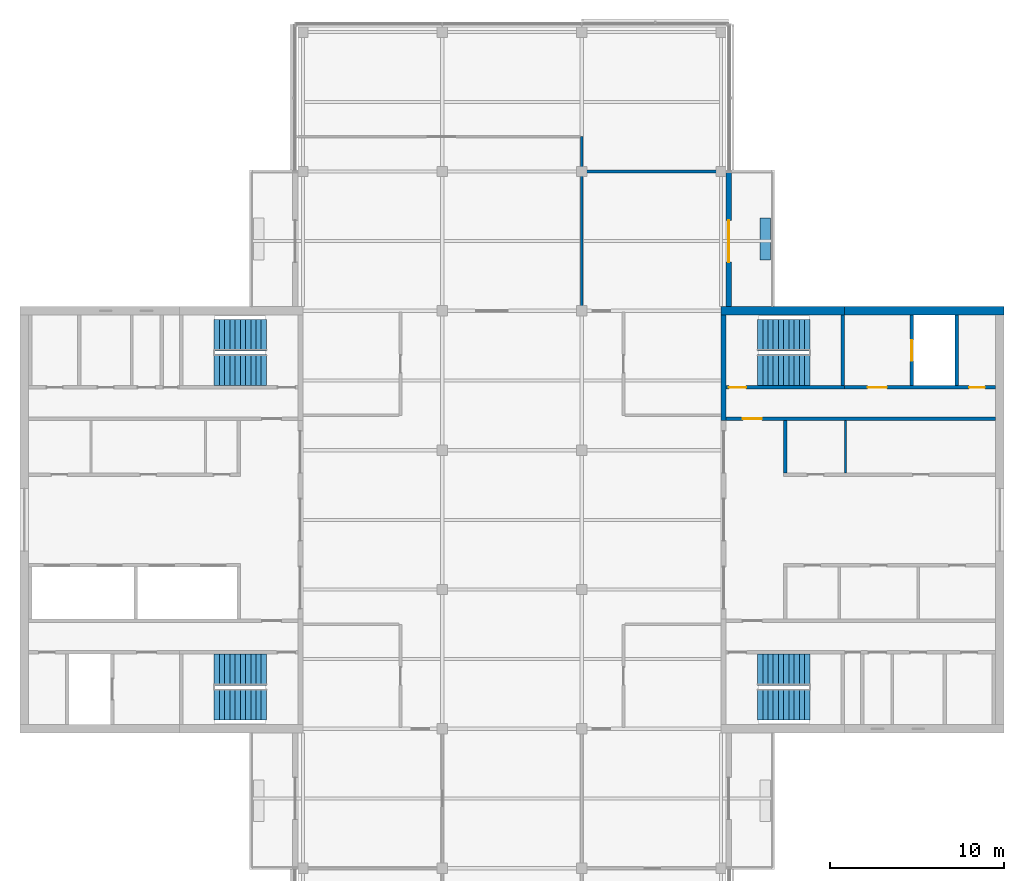
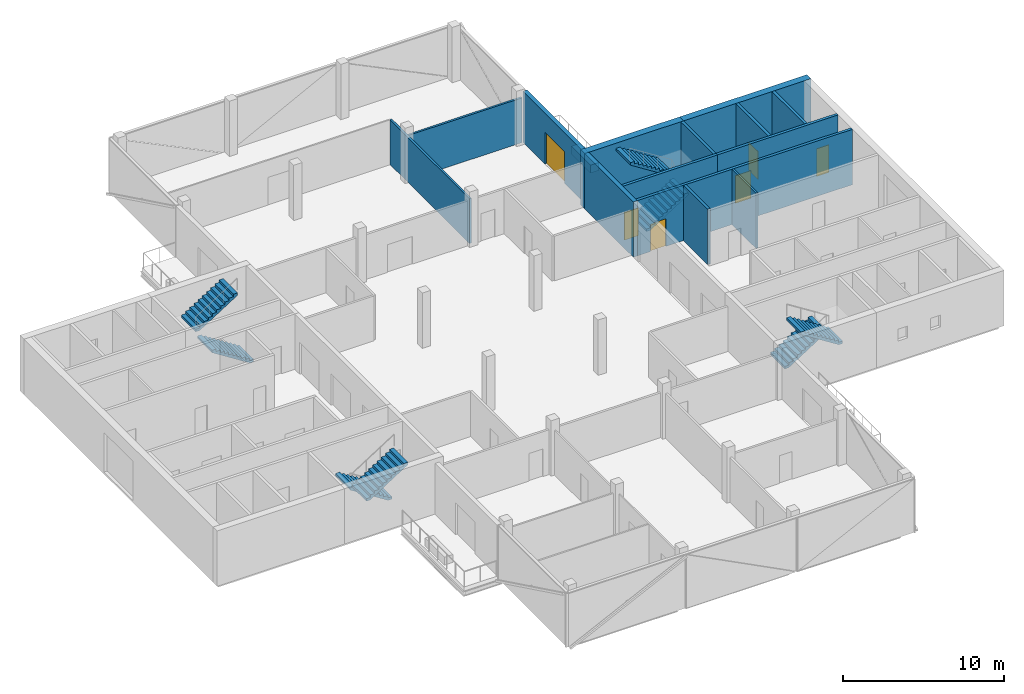
# One storey, part 8 of 11: 15 walls, 8 stair flights, 6 doors, 6 openings, 4 elements without a shape of their own.
"""IFC4 building model written with IfcOpenShell, lengths in metres."""

from ifc_helpers import new_model, si_unit, direction, frame, frame_2d, origin, place, context, subcontext, project, spatial, polyline, rectangle, outline, extrude, material, layer, layer_set, constituent, constituent_set, type_object, element, fill, aggregate, save


model = new_model("IFC4")

# Units and contexts
model_context = context("Model", 3, precision=1e-05, world=origin(), true_north=direction((0.0, 1.0)))
body_context = subcontext(model_context, "Body", "Model", "MODEL_VIEW")
ifc_project = project(units=[si_unit("LENGTHUNIT", "METRE"), si_unit("AREAUNIT", "SQUARE_METRE"), si_unit("VOLUMEUNIT", "CUBIC_METRE"), si_unit("PLANEANGLEUNIT", "RADIAN"), si_unit("MASSUNIT", "GRAM", prefix="KILO")], contexts=[model_context])

# Site, building, storey
site_placement = place(None, origin())
site = spatial("IfcSite", under=ifc_project, at=site_placement, CompositionType="ELEMENT")
building_placement = place(site_placement, origin())
building = spatial("IfcBuilding", under=site, at=building_placement, Name="Crosswind Convention Tower", CompositionType="ELEMENT")
storey_placement = place(building_placement, frame((0.0, 0.0, 344.89990234375)))
storey = spatial("IfcBuildingStorey", under=building, at=storey_placement, Name="L75", CompositionType="ELEMENT", Elevation=344.89990234375)

# Walls
ifc_material_1 = material(Name="Concrete C50/60", Category="concrete")
ifc_layer_1 = layer(ifc_material_1, 0.300048828125)
ifc_layer_set_1 = layer_set([ifc_layer_1], Name="Concrete C50/60")
wall_type_1 = type_object("IfcWallType", Name="Concrete inner core wall 300", PredefinedType="SHEAR", material=ifc_layer_set_1)
wall_1_placement = place(storey_placement, frame((137.14990234375, 105.699951171875, 0.0), z_axis=(0.0, 0.0, 1.0), x_axis=(0.0, 1.0, 0.0)))
element("IfcWall", 1, at=wall_1_placement, inside=storey, type_object=wall_type_1, Name="Wall EP E L75", PredefinedType="SHEAR", context=body_context, shape_type="SweptSolid", body=[
    extrude(rectangle(XDim=6.050048828125, YDim=0.300048828125, at=frame_2d((3.02490234375, 0.0))), origin(), (0.0, 0.0, 1.0), 4.2001953125),
])
ifc_layer_2 = layer(ifc_material_1, 0.199951171875)
ifc_layer_set_2 = layer_set([ifc_layer_2], Name="Concrete C50/60")
wall_type_2 = type_object("IfcWallType", Name="Concrete shaft and stair wall 200", PredefinedType="SHEAR", material=ifc_layer_set_2)
wall_2_placement = place(storey_placement, frame((140.699951171875, 102.699951171875, 0.0), z_axis=(0.0, 0.0, 1.0), x_axis=(0.0, 1.0, 0.0)))
element("IfcWall", 2, at=wall_2_placement, inside=storey, type_object=wall_type_2, Name="Wall RPEND E L75", PredefinedType="SHEAR", context=body_context, shape_type="SweptSolid", body=[
    extrude(rectangle(XDim=3.0, YDim=0.199951171875, at=frame_2d((1.5, 0.0))), origin(), (0.0, 0.0, 1.0), 4.2001953125),
])

# Wall, opening, door
wall_3_placement = place(storey_placement, frame((137.300048828125, 105.800048828125, 0.0), z_axis=(0.0, 0.0, 1.0), x_axis=(1.0, 0.0, 0.0)))
wall_3 = element("IfcWall", 3, at=wall_3_placement, inside=storey, type_object=wall_type_2, Name="Wall HP E L75", PredefinedType="SHEAR", context=body_context, shape_type="SweptSolid", body=[
    extrude(rectangle(XDim=15.449951171875, YDim=0.199951171875, at=frame_2d((7.72509765625, 0.0))), origin(), (0.0, 0.0, 1.0), 4.2001953125),
])
opening_1_placement = place(wall_3_placement, frame((0.949951171875, 0.0, 0.0)))
opening_1 = element("IfcOpeningElement", 4, at=opening_1_placement, cuts=wall_3, Name="Opening D104", PredefinedType="OPENING", context=body_context, shape_type="SweptSolid", body=[
    extrude(rectangle(XDim=1.10009765625, YDim=2.10009765625, at=frame_2d((0.550048828125, 1.050048828125))), frame((0.0, 0.10986328125, 0.0), z_axis=(0.0, -1.0, 0.0), x_axis=(1.0, 0.0, 0.0)), (0.0, 0.0, 1.0), 0.219970703125),
])
ifc_material_2 = material(Name="Steel fire door", Category="steel")
door_type_1 = type_object("IfcDoorType", Name="Fire-rated single door 1100x2100", OperationType="NOTDEFINED", PredefinedType="DOOR", material=ifc_material_2)
door_1_placement = place(opening_1_placement, origin())
door_1 = element("IfcDoor", 5, at=door_1_placement, inside=storey, type_object=door_type_1, Name="Corridor door L75", ObjectType="D104", OperationType="SINGLE_SWING_LEFT", OverallHeight=2.10009765625, OverallWidth=1.10009765625, PredefinedType="DOOR", context=body_context, shape_type="SweptSolid", body=[
    extrude(rectangle(XDim=1.10009765625, YDim=2.10009765625, at=frame_2d((0.550048828125, 1.050048828125))), frame((0.0, 0.02490234375, 0.0), z_axis=(0.0, -1.0, 0.0), x_axis=(1.0, 0.0, 0.0)), (0.0, 0.0, 1.0), 0.050048828125),
])
fill(opening_1, door_1)

# Wall
wall_4_placement = place(storey_placement, frame((144.0, 107.699951171875, 0.0), z_axis=(0.0, 0.0, 1.0), x_axis=(0.0, 1.0, 0.0)))
element("IfcWall", 6, at=wall_4_placement, inside=storey, type_object=wall_type_2, Name="Wall PSE E L75", PredefinedType="SHEAR", context=body_context, shape_type="SweptSolid", body=[
    extrude(rectangle(XDim=4.050048828125, YDim=0.199951171875, at=frame_2d((2.02490234375, 0.0))), origin(), (0.0, 0.0, 1.0), 4.2001953125),
])

# Wall, opening, door
wall_5_placement = place(storey_placement, frame((147.949951171875, 107.699951171875, 0.0), z_axis=(0.0, 0.0, 1.0), x_axis=(0.0, 1.0, 0.0)))
wall_5 = element("IfcWall", 7, at=wall_5_placement, inside=storey, type_object=wall_type_2, Name="Wall PFLW E L75", PredefinedType="SHEAR", context=body_context, shape_type="SweptSolid", body=[
    extrude(rectangle(XDim=4.050048828125, YDim=0.199951171875, at=frame_2d((2.02490234375, 0.0))), origin(), (0.0, 0.0, 1.0), 4.2001953125),
])
opening_2_placement = place(wall_5_placement, frame((1.425048828125, 0.0, 0.0)))
opening_2 = element("IfcOpeningElement", 8, at=opening_2_placement, cuts=wall_5, Name="Opening LD1", PredefinedType="OPENING", context=body_context, shape_type="SweptSolid", body=[
    extrude(rectangle(XDim=1.199951171875, YDim=2.10009765625, at=frame_2d((0.60009765625, 1.050048828125))), frame((0.0, 0.10986328125, 0.0), z_axis=(0.0, -1.0, 0.0), x_axis=(1.0, 0.0, 0.0)), (0.0, 0.0, 1.0), 0.219970703125),
])
ifc_material_3 = material(Name="Stainless steel", Category="steel")
door_type_2 = type_object("IfcDoorType", Name="Lift landing door 1200x2100", OperationType="DOUBLE_DOOR_SLIDING", PredefinedType="DOOR", material=ifc_material_3)
door_2_placement = place(opening_2_placement, origin())
door_2 = element("IfcDoor", 9, at=door_2_placement, inside=storey, type_object=door_type_2, Name="Landing door FF1 L75", ObjectType="LD1", OperationType="DOUBLE_DOOR_SLIDING", OverallHeight=2.10009765625, OverallWidth=1.199951171875, PredefinedType="DOOR", context=body_context, shape_type="SweptSolid", body=[
    extrude(rectangle(XDim=1.199951171875, YDim=2.10009765625, at=frame_2d((0.60009765625, 1.050048828125))), frame((0.0, 0.02490234375, 0.0), z_axis=(0.0, -1.0, 0.0), x_axis=(1.0, 0.0, 0.0)), (0.0, 0.0, 1.0), 0.050048828125),
])
fill(opening_2, door_2)

# Wall
wall_6_placement = place(storey_placement, frame((150.550048828125, 107.699951171875, 0.0), z_axis=(0.0, 0.0, 1.0), x_axis=(0.0, 1.0, 0.0)))
element("IfcWall", 10, at=wall_6_placement, inside=storey, type_object=wall_type_2, Name="Wall PFSE E L75", PredefinedType="SHEAR", context=body_context, shape_type="SweptSolid", body=[
    extrude(rectangle(XDim=4.050048828125, YDim=0.199951171875, at=frame_2d((2.02490234375, 0.0))), origin(), (0.0, 0.0, 1.0), 4.2001953125),
])

# Wall, opening, door
wall_7_placement = place(storey_placement, frame((137.300048828125, 107.60009765625, 0.0), z_axis=(0.0, 0.0, 1.0), x_axis=(1.0, 0.0, 0.0)))
wall_7 = element("IfcWall", 11, at=wall_7_placement, inside=storey, type_object=wall_type_2, Name="Wall PCW E L75", PredefinedType="SHEAR", context=body_context, shape_type="SweptSolid", body=[
    extrude(rectangle(XDim=6.800048828125, YDim=0.199951171875, at=frame_2d((3.39990234375, 0.0))), origin(), (0.0, 0.0, 1.0), 4.2001953125),
])
opening_3_placement = place(wall_7_placement, frame((0.14990234375, 0.0, 0.0)))
opening_3 = element("IfcOpeningElement", 12, at=opening_3_placement, cuts=wall_7, Name="Opening D103", PredefinedType="OPENING", context=body_context, shape_type="SweptSolid", body=[
    extrude(rectangle(XDim=1.0, YDim=2.10009765625, at=frame_2d((0.5, 1.050048828125))), frame((0.0, 0.10986328125, 0.0), z_axis=(0.0, -1.0, 0.0), x_axis=(1.0, 0.0, 0.0)), (0.0, 0.0, 1.0), 0.219970703125),
])
door_type_3 = type_object("IfcDoorType", Name="Fire-rated single door 1000x2100", OperationType="NOTDEFINED", PredefinedType="DOOR", material=ifc_material_2)
door_3_placement = place(opening_3_placement, origin())
door_3 = element("IfcDoor", 13, at=door_3_placement, inside=storey, type_object=door_type_3, Name="Stair ST1 door L75", ObjectType="D103", OperationType="SINGLE_SWING_LEFT", OverallHeight=2.10009765625, OverallWidth=1.0, PredefinedType="DOOR", context=body_context, shape_type="SweptSolid", body=[
    extrude(rectangle(XDim=1.0, YDim=2.10009765625, at=frame_2d((0.5, 1.050048828125))), frame((0.0, 0.02490234375, 0.0), z_axis=(0.0, -1.0, 0.0), x_axis=(1.0, 0.0, 0.0)), (0.0, 0.0, 1.0), 0.050048828125),
])
fill(opening_3, door_3)

# Wall, openings, doors
wall_8_placement = place(storey_placement, frame((144.10009765625, 107.60009765625, 0.0), z_axis=(0.0, 0.0, 1.0), x_axis=(1.0, 0.0, 0.0)))
wall_8 = element("IfcWall", 14, at=wall_8_placement, inside=storey, type_object=wall_type_2, Name="Wall PCX E L75", PredefinedType="SHEAR", context=body_context, shape_type="SweptSolid", body=[
    extrude(rectangle(XDim=8.64990234375, YDim=0.199951171875, at=frame_2d((4.324951171875, 0.0))), origin(), (0.0, 0.0, 1.0), 4.2001953125),
])
opening_4_placement = place(wall_8_placement, frame((1.324951171875, 0.0, 0.0)))
opening_4 = element("IfcOpeningElement", 15, at=opening_4_placement, cuts=wall_8, Name="Opening D104", PredefinedType="OPENING", context=body_context, shape_type="SweptSolid", body=[
    extrude(rectangle(XDim=1.10009765625, YDim=2.10009765625, at=frame_2d((0.550048828125, 1.050048828125))), frame((0.0, 0.10986328125, 0.0), z_axis=(0.0, -1.0, 0.0), x_axis=(1.0, 0.0, 0.0)), (0.0, 0.0, 1.0), 0.219970703125),
])
opening_5_placement = place(wall_8_placement, frame((7.14990234375, 0.0, 0.0)))
opening_5 = element("IfcOpeningElement", 16, at=opening_5_placement, cuts=wall_8, Name="Opening D106", PredefinedType="OPENING", context=body_context, shape_type="SweptSolid", body=[
    extrude(rectangle(XDim=0.89990234375, YDim=2.10009765625, at=frame_2d((0.449951171875, 1.050048828125))), frame((0.0, 0.10986328125, 0.0), z_axis=(0.0, -1.0, 0.0), x_axis=(1.0, 0.0, 0.0)), (0.0, 0.0, 1.0), 0.219970703125),
])
door_4_placement = place(opening_4_placement, origin())
door_4 = element("IfcDoor", 17, at=door_4_placement, inside=storey, type_object=door_type_1, Name="Fire-fighting lobby FF1 door L75", ObjectType="D104", OperationType="SINGLE_SWING_RIGHT", OverallHeight=2.10009765625, OverallWidth=1.10009765625, PredefinedType="DOOR", context=body_context, shape_type="SweptSolid", body=[
    extrude(rectangle(XDim=1.10009765625, YDim=2.10009765625, at=frame_2d((0.550048828125, 1.050048828125))), frame((0.0, 0.02490234375, 0.0), z_axis=(0.0, -1.0, 0.0), x_axis=(1.0, 0.0, 0.0)), (0.0, 0.0, 1.0), 0.050048828125),
])
fill(opening_4, door_4)
ifc_material_4 = material(Name="Timber door", Category="wood")
door_type_4 = type_object("IfcDoorType", Name="Single leaf door 900x2100", OperationType="NOTDEFINED", PredefinedType="DOOR", material=ifc_material_4)
door_5_placement = place(opening_5_placement, origin())
door_5 = element("IfcDoor", 18, at=door_5_placement, inside=storey, type_object=door_type_4, Name="Door to comms room L75", ObjectType="D106", OperationType="SINGLE_SWING_RIGHT", OverallHeight=2.10009765625, OverallWidth=0.89990234375, PredefinedType="DOOR", context=body_context, shape_type="SweptSolid", body=[
    extrude(rectangle(XDim=0.89990234375, YDim=2.10009765625, at=frame_2d((0.449951171875, 1.050048828125))), frame((0.0, 0.02490234375, 0.0), z_axis=(0.0, -1.0, 0.0), x_axis=(1.0, 0.0, 0.0)), (0.0, 0.0, 1.0), 0.050048828125),
])
fill(opening_5, door_5)

# Walls
ifc_material_5 = material(Name="Gypsum plasterboard partition", Category="gypsum")
ifc_layer_3 = layer(ifc_material_5, 0.125)
ifc_layer_set_3 = layer_set([ifc_layer_3], Name="Drywall partition wall 125")
wall_type_3 = type_object("IfcWallType", Name="Drywall partition wall 125", PredefinedType="PARTITIONING", material=ifc_layer_set_3)
wall_9_placement = place(storey_placement, frame((144.14599609375, 102.699951171875, 0.0), z_axis=(0.0, 0.0, 1.0), x_axis=(0.0, 1.0, 0.0)))
element("IfcWall", 19, at=wall_9_placement, inside=storey, type_object=wall_type_3, Name="Wall RPP1 E L75", PredefinedType="PARTITIONING", context=body_context, shape_type="SweptSolid", body=[
    extrude(rectangle(XDim=3.0, YDim=0.125, at=frame_2d((1.5, 0.0))), origin(), (0.0, 0.0, 1.0), 4.2001953125),
])
ifc_material_6 = material(Name="Concrete C30/37", Category="concrete")
ifc_layer_4 = layer(ifc_material_6, 0.60009765625)
ifc_layer_set_4 = layer_set([ifc_layer_4], Name="Concrete C30/37")
wall_type_4 = type_object("IfcWallType", Name="PLANTER BOX WALL 600", PredefinedType="SOLIDWALL", material=ifc_layer_set_4)
wall_10_placement = place(storey_placement, frame((139.550048828125, 114.925048828125, 0.0), z_axis=(0.0, 0.0, 1.0), x_axis=(0.0, 1.0, 0.0)))
element("IfcWall", 20, at=wall_10_placement, inside=storey, type_object=wall_type_4, Name="PLANTER L75 N-E.1-1", PredefinedType="SOLIDWALL", context=body_context, shape_type="SweptSolid", body=[
    extrude(rectangle(XDim=2.39990234375, YDim=0.60009765625, at=frame_2d((1.199951171875, 0.0))), origin(), (0.0, 0.0, 1.0), 0.60009765625),
])
ifc_material_7 = material(Name="Fire-board partition with mineral wool", Category="gypsum")
ifc_layer_5 = layer(ifc_material_7, 0.14990234375)
ifc_layer_set_5 = layer_set([ifc_layer_5], Name="TENANCY WALL 150 TWO-HOUR BOARD")
wall_type_5 = type_object("IfcWallType", Name="TENANCY WALL 150 TWO-HOUR BOARD", PredefinedType="PARTITIONING", material=ifc_layer_set_5)
wall_11_placement = place(storey_placement, frame((129.0, 112.074951171875, 0.0), z_axis=(0.0, 0.0, 1.0), x_axis=(0.0, 1.0, 0.0)))
element("IfcWall", 21, at=wall_11_placement, inside=storey, type_object=wall_type_5, Name="Tenancy wall WT41", PredefinedType="PARTITIONING", context=body_context, shape_type="SweptSolid", body=[
    extrude(rectangle(XDim=9.925048828125, YDim=0.14990234375, at=frame_2d((4.96240234375, 0.0))), origin(), (0.0, 0.0, 1.0), 3.396484375),
])
wall_12_placement = place(storey_placement, frame((129.074951171875, 120.0, 0.0), z_axis=(0.0, 0.0, 1.0), x_axis=(1.0, 0.0, 0.0)))
element("IfcWall", 22, at=wall_12_placement, inside=storey, type_object=wall_type_5, Name="Tenancy wall WT41", PredefinedType="PARTITIONING", context=body_context, shape_type="SweptSolid", body=[
    extrude(rectangle(XDim=8.14501953125, YDim=0.14990234375, at=frame_2d((4.072509765625, 0.0))), origin(), (0.0, 0.0, 1.0), 3.396484375),
])

# Wall, opening, door
ifc_material_8 = material(Name="Terracotta rainscreen", Category="ceramic")
ifc_layer_6 = layer(ifc_material_8, 0.02001953125)
ifc_material_9 = material(Name="Mineral wool insulation", Category="insulation")
ifc_layer_7 = layer(ifc_material_9, 0.10009765625)
ifc_material_10 = material(Name="Concrete blockwork", Category="masonry")
ifc_layer_8 = layer(ifc_material_10, 0.179931640625)
ifc_layer_set_6 = layer_set([ifc_layer_6, ifc_layer_7, ifc_layer_8], Name="TERRACOTTA INFILL WALL 300")
wall_type_6 = type_object("IfcWallType", Name="TERRACOTTA INFILL WALL 300", PredefinedType="SOLIDWALL", material=ifc_layer_set_6)
wall_13_placement = place(storey_placement, frame((137.449951171875, 112.25, 0.0), z_axis=(0.0, 0.0, 1.0), x_axis=(0.0, 1.0, 0.0)))
wall_13 = element("IfcWall", 23, at=wall_13_placement, inside=storey, type_object=wall_type_6, Name="Notch front wall L75 N-E.1-1", PredefinedType="SOLIDWALL", context=body_context, shape_type="SweptSolid", body=[
    extrude(rectangle(XDim=7.71240234375, YDim=0.300048828125, at=frame_2d((3.856201171875, 0.0))), origin(), (0.0, 0.0, 1.0), 3.85009765625),
])
opening_6_placement = place(wall_13_placement, frame((2.550048828125, 0.0, 0.0)))
opening_6 = element("IfcOpeningElement", 24, at=opening_6_placement, cuts=wall_13, Name="Opening D143", PredefinedType="OPENING", context=body_context, shape_type="SweptSolid", body=[
    extrude(rectangle(XDim=2.39990234375, YDim=2.39990234375, at=frame_2d((1.199951171875, 1.199951171875))), frame((0.0, 0.159912109375, 0.0), z_axis=(0.0, -1.0, 0.0), x_axis=(1.0, 0.0, 0.0)), (0.0, 0.0, 1.0), 0.320068359375),
])
ifc_material_11 = material(Name="Aluminium glazed door", Category="aluminium")
door_type_5 = type_object("IfcDoorType", Name="WINTER GARDEN SLIDING DOOR 2400X2400", OperationType="SLIDING_TO_LEFT", PredefinedType="DOOR", material=ifc_material_11)
door_6_placement = place(opening_6_placement, frame((2.39990234375, 0.0, 0.0), z_axis=(0.0, 0.0, 1.0), x_axis=(-1.0, 0.0, 0.0)))
door_6 = element("IfcDoor", 25, at=door_6_placement, inside=storey, type_object=door_type_5, Name="D143 winter garden door L75 N-E.1-1", ObjectType="D143", OperationType="SLIDING_TO_LEFT", OverallHeight=2.39990234375, OverallWidth=2.39990234375, PredefinedType="DOOR", context=body_context, shape_type="SweptSolid", body=[
    extrude(rectangle(XDim=2.39990234375, YDim=2.39990234375, at=frame_2d((1.199951171875, 1.199951171875))), frame((0.0, 0.02490234375, 0.0), z_axis=(0.0, -1.0, 0.0), x_axis=(1.0, 0.0, 0.0)), (0.0, 0.0, 1.0), 0.050048828125),
])
fill(opening_6, door_6)

# Walls
ifc_material_12 = material(Name="Concrete C60/75", Category="concrete")
ifc_constituent_1 = constituent(ifc_material_12, Name="Structure")
ifc_constituent_2 = constituent(ifc_material_8, Name="Facing")
ifc_constituent_set = constituent_set(constituents=[ifc_constituent_1, ifc_constituent_2], Name="Concrete C60/75, Terracotta rainscreen")
wall_type_7 = type_object("IfcWallType", Name="Terracotta rainscreen on concrete core wall 500", PredefinedType="SHEAR", material=ifc_constituent_set)
wall_14_placement = place(storey_placement, frame((137.0, 112.0, 0.0), z_axis=(0.0, 0.0, 1.0), x_axis=(1.0, 0.0, 0.0)))
element("IfcWall", 26, at=wall_14_placement, inside=storey, type_object=wall_type_7, Name="Wall N1 E L75", PredefinedType="SHEAR", context=body_context, shape_type="SweptSolid", body=[
    extrude(rectangle(XDim=7.10009765625, YDim=0.5, at=frame_2d((3.550048828125, 0.0))), origin(), (0.0, 0.0, 1.0), 4.2001953125),
])
wall_15_placement = place(storey_placement, frame((144.10009765625, 112.0, 0.0), z_axis=(0.0, 0.0, 1.0), x_axis=(1.0, 0.0, 0.0)))
element("IfcWall", 27, at=wall_15_placement, inside=storey, type_object=wall_type_7, Name="Wall N2 E L75", PredefinedType="SHEAR", context=body_context, shape_type="SweptSolid", body=[
    extrude(rectangle(XDim=9.14990234375, YDim=0.5, at=frame_2d((4.574951171875, 0.0))), origin(), (0.0, 0.0, 1.0), 4.2001953125),
])

# Stair, stair flights
ifc_material_13 = material(Name="Concrete C40/50", Category="concrete")
stair_type = type_object("IfcStairType", Name="Exit stair 1800 wide, 2 flights of 11 risers", PredefinedType="HALF_TURN_STAIR", material=ifc_material_13)
stair_1_placement = place(storey_placement, origin())
stair_1 = element("IfcStair", 28, at=stair_1_placement, inside=storey, type_object=stair_type, Name="Exit stair ST1 L75", ObjectType="ST5", PredefinedType="HALF_TURN_STAIR")
stair_flight_type = type_object("IfcStairFlightType", Name="Stair flight 1800 wide, 11 risers (SF4)", PredefinedType="STRAIGHT", material=ifc_material_13)
stair_flight_1_placement = place(storey_placement, frame((139.10009765625, 108.60009765625, 0.0), z_axis=(0.0, 0.0, 1.0), x_axis=(1.0, 0.0, 0.0)))
stair_flight_1 = element("IfcStairFlight", 29, at=stair_flight_1_placement, type_object=stair_flight_type, Name="ST1 flight 1", NumberOfRisers=11, NumberOfTreads=10, PredefinedType="STRAIGHT", RiserHeight=0.190909091, TreadLength=0.3, context=body_context, shape_type="SweptSolid", body=[
    extrude(outline(polyline([(0.0, 0.0), (0.0, 0.19091796875), (0.300048828125, 0.19091796875), (0.300048828125, 0.3818359375), (0.60009765625, 0.3818359375), (0.60009765625, 0.57275390625), (0.89990234375, 0.57275390625), (0.89990234375, 0.763671875), (1.199951171875, 0.763671875), (1.199951171875, 0.95458984375), (1.5, 0.95458984375), (1.5, 1.1455078125), (1.800048828125, 1.1455078125), (1.800048828125, 1.33642578125), (2.10009765625, 1.33642578125), (2.10009765625, 1.52734375), (2.39990234375, 1.52734375), (2.39990234375, 1.71826171875), (2.699951171875, 1.71826171875), (2.699951171875, 1.9091796875), (3.0, 1.9091796875), (3.0, 2.10009765625), (3.0, 1.7314453125), (0.279296875, 0.0), (0.0, 0.0)])), frame((0.0, 0.89990234375, 0.0), z_axis=(0.0, -1.0, 0.0), x_axis=(1.0, 0.0, 0.0)), (0.0, 0.0, 1.0), 1.800048828125),
])
stair_flight_2_placement = place(storey_placement, frame((142.10009765625, 110.60009765625, 2.10009765625), z_axis=(0.0, 0.0, 1.0), x_axis=(-1.0, 0.0, 0.0)))
stair_flight_2 = element("IfcStairFlight", 30, at=stair_flight_2_placement, type_object=stair_flight_type, Name="ST1 flight 2", NumberOfRisers=11, NumberOfTreads=10, PredefinedType="STRAIGHT", RiserHeight=0.190909091, TreadLength=0.3, context=body_context, shape_type="SweptSolid", body=[
    extrude(outline(polyline([(0.0, 0.0), (0.0, 0.19091796875), (0.300048828125, 0.19091796875), (0.300048828125, 0.3818359375), (0.60009765625, 0.3818359375), (0.60009765625, 0.57275390625), (0.89990234375, 0.57275390625), (0.89990234375, 0.763671875), (1.199951171875, 0.763671875), (1.199951171875, 0.95458984375), (1.5, 0.95458984375), (1.5, 1.1455078125), (1.800048828125, 1.1455078125), (1.800048828125, 1.33642578125), (2.10009765625, 1.33642578125), (2.10009765625, 1.52734375), (2.39990234375, 1.52734375), (2.39990234375, 1.71826171875), (2.699951171875, 1.71826171875), (2.699951171875, 1.9091796875), (3.0, 1.9091796875), (3.0, 2.10009765625), (3.0, 1.7314453125), (0.279296875, 0.0), (0.0, 0.0)])), frame((0.0, 0.89990234375, 0.0), z_axis=(0.0, -1.0, 0.0), x_axis=(1.0, 0.0, 0.0)), (0.0, 0.0, 1.0), 1.800048828125),
])
aggregate(stair_1, [stair_flight_1, stair_flight_2])

stair_2_placement = place(storey_placement, origin())
stair_2 = element("IfcStair", 31, at=stair_2_placement, inside=storey, type_object=stair_type, Name="Exit stair ST2 L75", ObjectType="ST5", PredefinedType="HALF_TURN_STAIR")
stair_flight_3_placement = place(storey_placement, frame((139.10009765625, 91.39990234375, 0.0), z_axis=(0.0, 0.0, 1.0), x_axis=(1.0, 0.0, 0.0)))
stair_flight_3 = element("IfcStairFlight", 32, at=stair_flight_3_placement, type_object=stair_flight_type, Name="ST2 flight 1", NumberOfRisers=11, NumberOfTreads=10, PredefinedType="STRAIGHT", RiserHeight=0.190909091, TreadLength=0.3, context=body_context, shape_type="SweptSolid", body=[
    extrude(outline(polyline([(0.0, 0.0), (0.0, 0.19091796875), (0.300048828125, 0.19091796875), (0.300048828125, 0.3818359375), (0.60009765625, 0.3818359375), (0.60009765625, 0.57275390625), (0.89990234375, 0.57275390625), (0.89990234375, 0.763671875), (1.199951171875, 0.763671875), (1.199951171875, 0.95458984375), (1.5, 0.95458984375), (1.5, 1.1455078125), (1.800048828125, 1.1455078125), (1.800048828125, 1.33642578125), (2.10009765625, 1.33642578125), (2.10009765625, 1.52734375), (2.39990234375, 1.52734375), (2.39990234375, 1.71826171875), (2.699951171875, 1.71826171875), (2.699951171875, 1.9091796875), (3.0, 1.9091796875), (3.0, 2.10009765625), (3.0, 1.7314453125), (0.279296875, 0.0), (0.0, 0.0)])), frame((0.0, 0.89990234375, 0.0), z_axis=(0.0, -1.0, 0.0), x_axis=(1.0, 0.0, 0.0)), (0.0, 0.0, 1.0), 1.800048828125),
])
stair_flight_4_placement = place(storey_placement, frame((142.10009765625, 89.39990234375, 2.10009765625), z_axis=(0.0, 0.0, 1.0), x_axis=(-1.0, 0.0, 0.0)))
stair_flight_4 = element("IfcStairFlight", 33, at=stair_flight_4_placement, type_object=stair_flight_type, Name="ST2 flight 2", NumberOfRisers=11, NumberOfTreads=10, PredefinedType="STRAIGHT", RiserHeight=0.190909091, TreadLength=0.3, context=body_context, shape_type="SweptSolid", body=[
    extrude(outline(polyline([(0.0, 0.0), (0.0, 0.19091796875), (0.300048828125, 0.19091796875), (0.300048828125, 0.3818359375), (0.60009765625, 0.3818359375), (0.60009765625, 0.57275390625), (0.89990234375, 0.57275390625), (0.89990234375, 0.763671875), (1.199951171875, 0.763671875), (1.199951171875, 0.95458984375), (1.5, 0.95458984375), (1.5, 1.1455078125), (1.800048828125, 1.1455078125), (1.800048828125, 1.33642578125), (2.10009765625, 1.33642578125), (2.10009765625, 1.52734375), (2.39990234375, 1.52734375), (2.39990234375, 1.71826171875), (2.699951171875, 1.71826171875), (2.699951171875, 1.9091796875), (3.0, 1.9091796875), (3.0, 2.10009765625), (3.0, 1.7314453125), (0.279296875, 0.0), (0.0, 0.0)])), frame((0.0, 0.89990234375, 0.0), z_axis=(0.0, -1.0, 0.0), x_axis=(1.0, 0.0, 0.0)), (0.0, 0.0, 1.0), 1.800048828125),
])
aggregate(stair_2, [stair_flight_3, stair_flight_4])

stair_3_placement = place(storey_placement, origin())
stair_3 = element("IfcStair", 34, at=stair_3_placement, inside=storey, type_object=stair_type, Name="Exit stair ST3 L75", ObjectType="ST5", PredefinedType="HALF_TURN_STAIR")
stair_flight_5_placement = place(storey_placement, frame((110.89990234375, 91.39990234375, 0.0), z_axis=(0.0, 0.0, 1.0), x_axis=(-1.0, 0.0, 0.0)))
stair_flight_5 = element("IfcStairFlight", 35, at=stair_flight_5_placement, type_object=stair_flight_type, Name="ST3 flight 1", NumberOfRisers=11, NumberOfTreads=10, PredefinedType="STRAIGHT", RiserHeight=0.190909091, TreadLength=0.3, context=body_context, shape_type="SweptSolid", body=[
    extrude(outline(polyline([(0.0, 0.0), (0.0, 0.19091796875), (0.300048828125, 0.19091796875), (0.300048828125, 0.3818359375), (0.60009765625, 0.3818359375), (0.60009765625, 0.57275390625), (0.89990234375, 0.57275390625), (0.89990234375, 0.763671875), (1.199951171875, 0.763671875), (1.199951171875, 0.95458984375), (1.5, 0.95458984375), (1.5, 1.1455078125), (1.800048828125, 1.1455078125), (1.800048828125, 1.33642578125), (2.10009765625, 1.33642578125), (2.10009765625, 1.52734375), (2.39990234375, 1.52734375), (2.39990234375, 1.71826171875), (2.699951171875, 1.71826171875), (2.699951171875, 1.9091796875), (3.0, 1.9091796875), (3.0, 2.10009765625), (3.0, 1.7314453125), (0.279296875, 0.0), (0.0, 0.0)])), frame((0.0, 0.89990234375, 0.0), z_axis=(0.0, -1.0, 0.0), x_axis=(1.0, 0.0, 0.0)), (0.0, 0.0, 1.0), 1.800048828125),
])
stair_flight_6_placement = place(storey_placement, frame((107.89990234375, 89.39990234375, 2.10009765625), z_axis=(0.0, 0.0, 1.0), x_axis=(1.0, 0.0, 0.0)))
stair_flight_6 = element("IfcStairFlight", 36, at=stair_flight_6_placement, type_object=stair_flight_type, Name="ST3 flight 2", NumberOfRisers=11, NumberOfTreads=10, PredefinedType="STRAIGHT", RiserHeight=0.190909091, TreadLength=0.3, context=body_context, shape_type="SweptSolid", body=[
    extrude(outline(polyline([(0.0, 0.0), (0.0, 0.19091796875), (0.300048828125, 0.19091796875), (0.300048828125, 0.3818359375), (0.60009765625, 0.3818359375), (0.60009765625, 0.57275390625), (0.89990234375, 0.57275390625), (0.89990234375, 0.763671875), (1.199951171875, 0.763671875), (1.199951171875, 0.95458984375), (1.5, 0.95458984375), (1.5, 1.1455078125), (1.800048828125, 1.1455078125), (1.800048828125, 1.33642578125), (2.10009765625, 1.33642578125), (2.10009765625, 1.52734375), (2.39990234375, 1.52734375), (2.39990234375, 1.71826171875), (2.699951171875, 1.71826171875), (2.699951171875, 1.9091796875), (3.0, 1.9091796875), (3.0, 2.10009765625), (3.0, 1.7314453125), (0.279296875, 0.0), (0.0, 0.0)])), frame((0.0, 0.89990234375, 0.0), z_axis=(0.0, -1.0, 0.0), x_axis=(1.0, 0.0, 0.0)), (0.0, 0.0, 1.0), 1.800048828125),
])
aggregate(stair_3, [stair_flight_5, stair_flight_6])

stair_4_placement = place(storey_placement, origin())
stair_4 = element("IfcStair", 37, at=stair_4_placement, inside=storey, type_object=stair_type, Name="Exit stair ST4 L75", ObjectType="ST5", PredefinedType="HALF_TURN_STAIR")
stair_flight_7_placement = place(storey_placement, frame((110.89990234375, 108.60009765625, 0.0), z_axis=(0.0, 0.0, 1.0), x_axis=(-1.0, 0.0, 0.0)))
stair_flight_7 = element("IfcStairFlight", 38, at=stair_flight_7_placement, type_object=stair_flight_type, Name="ST4 flight 1", NumberOfRisers=11, NumberOfTreads=10, PredefinedType="STRAIGHT", RiserHeight=0.190909091, TreadLength=0.3, context=body_context, shape_type="SweptSolid", body=[
    extrude(outline(polyline([(0.0, 0.0), (0.0, 0.19091796875), (0.300048828125, 0.19091796875), (0.300048828125, 0.3818359375), (0.60009765625, 0.3818359375), (0.60009765625, 0.57275390625), (0.89990234375, 0.57275390625), (0.89990234375, 0.763671875), (1.199951171875, 0.763671875), (1.199951171875, 0.95458984375), (1.5, 0.95458984375), (1.5, 1.1455078125), (1.800048828125, 1.1455078125), (1.800048828125, 1.33642578125), (2.10009765625, 1.33642578125), (2.10009765625, 1.52734375), (2.39990234375, 1.52734375), (2.39990234375, 1.71826171875), (2.699951171875, 1.71826171875), (2.699951171875, 1.9091796875), (3.0, 1.9091796875), (3.0, 2.10009765625), (3.0, 1.7314453125), (0.279296875, 0.0), (0.0, 0.0)])), frame((0.0, 0.89990234375, 0.0), z_axis=(0.0, -1.0, 0.0), x_axis=(1.0, 0.0, 0.0)), (0.0, 0.0, 1.0), 1.800048828125),
])
stair_flight_8_placement = place(storey_placement, frame((107.89990234375, 110.60009765625, 2.10009765625), z_axis=(0.0, 0.0, 1.0), x_axis=(1.0, 0.0, 0.0)))
stair_flight_8 = element("IfcStairFlight", 39, at=stair_flight_8_placement, type_object=stair_flight_type, Name="ST4 flight 2", NumberOfRisers=11, NumberOfTreads=10, PredefinedType="STRAIGHT", RiserHeight=0.190909091, TreadLength=0.3, context=body_context, shape_type="SweptSolid", body=[
    extrude(outline(polyline([(0.0, 0.0), (0.0, 0.19091796875), (0.300048828125, 0.19091796875), (0.300048828125, 0.3818359375), (0.60009765625, 0.3818359375), (0.60009765625, 0.57275390625), (0.89990234375, 0.57275390625), (0.89990234375, 0.763671875), (1.199951171875, 0.763671875), (1.199951171875, 0.95458984375), (1.5, 0.95458984375), (1.5, 1.1455078125), (1.800048828125, 1.1455078125), (1.800048828125, 1.33642578125), (2.10009765625, 1.33642578125), (2.10009765625, 1.52734375), (2.39990234375, 1.52734375), (2.39990234375, 1.71826171875), (2.699951171875, 1.71826171875), (2.699951171875, 1.9091796875), (3.0, 1.9091796875), (3.0, 2.10009765625), (3.0, 1.7314453125), (0.279296875, 0.0), (0.0, 0.0)])), frame((0.0, 0.89990234375, 0.0), z_axis=(0.0, -1.0, 0.0), x_axis=(1.0, 0.0, 0.0)), (0.0, 0.0, 1.0), 1.800048828125),
])
aggregate(stair_4, [stair_flight_7, stair_flight_8])

save(model, "model.ifc")
